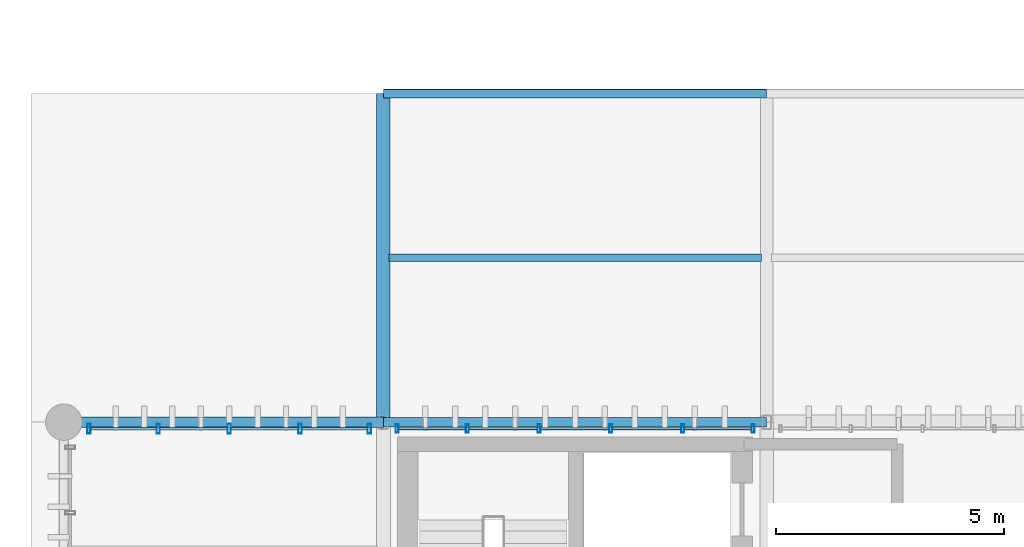
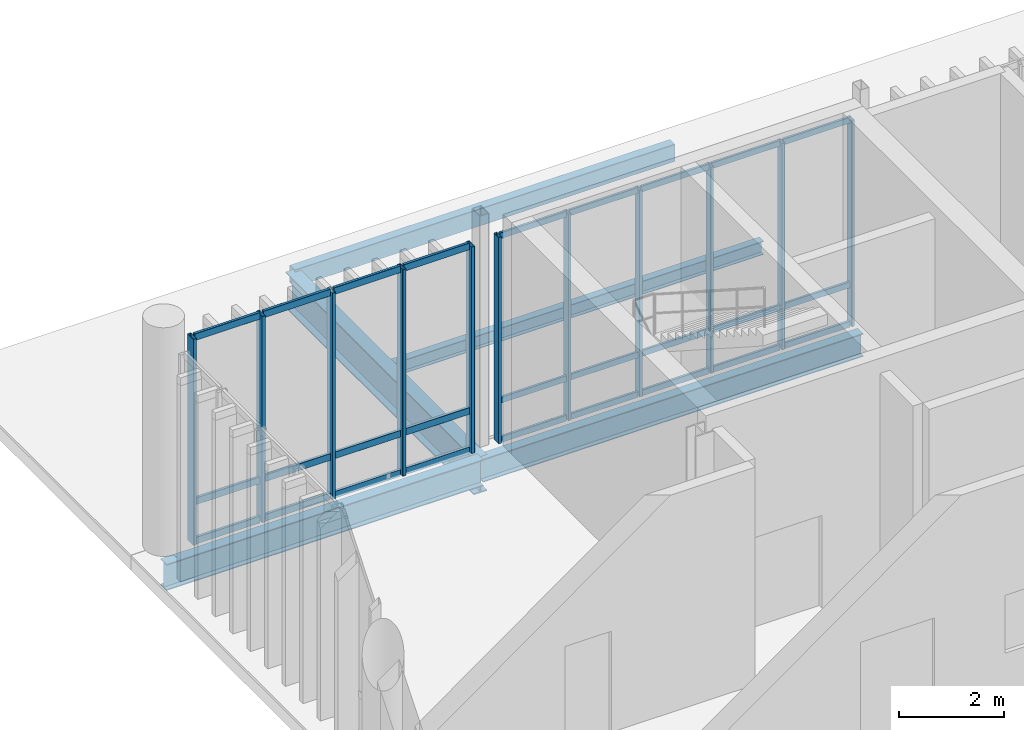
# One storey, part 28 of 112: 38 members, 5 beams, 2 elements without a shape of their own.
"""IFC4 building model written with IfcOpenShell, lengths in metres."""

from ifc_helpers import new_model, si_unit, direction, frame, origin_with_axes, origin_2d_with_axis, place, context, subcontext, project, spatial, hollow_rectangle, i_section, extrude, material, material_profile, profile_set, type_object, element, aggregate, save


model = new_model("IFC4")

# Units and contexts
model_context = context("Model", 3, precision=1e-05, world=origin_with_axes(), true_north=direction((0.0, 1.0)))
body_context = subcontext(model_context, "Body", "Model", "MODEL_VIEW")
ifc_project = project(units=[si_unit("LENGTHUNIT", "METRE"), si_unit("AREAUNIT", "SQUARE_METRE"), si_unit("VOLUMEUNIT", "CUBIC_METRE"), si_unit("PLANEANGLEUNIT", "RADIAN"), si_unit("MASSUNIT", "GRAM", prefix="KILO"), si_unit("THERMODYNAMICTEMPERATUREUNIT", "KELVIN")], contexts=[model_context])

# Site, building, storey
site_placement = place(None, origin_with_axes())
site = spatial("IfcSite", under=ifc_project, at=site_placement, CompositionType="ELEMENT")
building_placement = place(site_placement, origin_with_axes())
building = spatial("IfcBuilding", under=site, at=building_placement, Name="Montbau Bow Law Courts", CompositionType="ELEMENT")
storey_placement = place(building_placement, origin_with_axes())
storey = spatial("IfcBuildingStorey", under=building, at=storey_placement, Name="L00", CompositionType="ELEMENT", Elevation=0.0)

# Beams
ifc_material_1 = material(Name="Steel CSA G40.21 Grade 350W (350 MPa)", Category="steel")
ifc_material_profile_1 = material_profile(ifc_material_1, i_section(OverallWidth=0.293, OverallDepth=0.846, WebThickness=0.0154, FlangeThickness=0.0244, at=origin_2d_with_axis()), Name="W840X210", Category="Main", Priority=0)
ifc_profile_set_1 = profile_set([ifc_material_profile_1], Name="Steel CSA G40.21 Grade 350W (350 MPa)")
beam_type_1 = type_object("IfcBeamType", Name="B-FLR-02", PredefinedType="BEAM", material=ifc_profile_set_1)
beam_1_placement = place(None, frame((13.8, 54.6, -0.763), z_axis=(0.0, 1.0, 0.0), x_axis=(-1.0, 0.0, 0.0)))
element("IfcBeam", 1, at=beam_1_placement, inside=storey, type_object=beam_type_1, Name="BM-L00-S0247:bm2_0250", PredefinedType="BEAM", context=body_context, shape_type="SweptSolid", body=[
    extrude(i_section(OverallWidth=0.293, OverallDepth=0.846, WebThickness=0.0154, FlangeThickness=0.0244, at=origin_2d_with_axis()), origin_with_axes(), (0.0, 0.0, 1.0), 7.2),
])
ifc_material_profile_2 = material_profile(ifc_material_1, i_section(OverallWidth=0.229, OverallDepth=0.612, WebThickness=0.0119, FlangeThickness=0.0196, at=origin_2d_with_axis()), Name="W610X125", Category="Main", Priority=0)
ifc_profile_set_2 = profile_set([ifc_material_profile_2], Name="Steel CSA G40.21 Grade 350W (350 MPa)")
beam_type_2 = type_object("IfcBeamType", Name="B-FLR-05", PredefinedType="BEAM", material=ifc_profile_set_2)
beam_2_placement = place(None, frame((6.8, 54.6, -0.646), z_axis=(1.0, 0.0, 0.0), x_axis=(0.0, 1.0, 0.0)))
element("IfcBeam", 2, at=beam_2_placement, inside=storey, type_object=beam_type_2, Name="BM-L00-S0209:bm2_0212", PredefinedType="BEAM", context=body_context, shape_type="SweptSolid", body=[
    extrude(i_section(OverallWidth=0.229, OverallDepth=0.612, WebThickness=0.0119, FlangeThickness=0.0196, at=origin_2d_with_axis()), origin_with_axes(), (0.0, 0.0, 1.0), 7.0),
])
ifc_material_profile_3 = material_profile(ifc_material_1, i_section(OverallWidth=0.21, OverallDepth=0.537, WebThickness=0.0109, FlangeThickness=0.0174, at=origin_2d_with_axis()), Name="W530X101", Category="Main", Priority=0)
ifc_profile_set_3 = profile_set([ifc_material_profile_3], Name="Steel CSA G40.21 Grade 350W (350 MPa)")
beam_type_3 = type_object("IfcBeamType", Name="B-FLR-06", PredefinedType="BEAM", material=ifc_profile_set_3)
beam_3_placement = place(None, frame((13.8, 54.6, -0.609), z_axis=(1.0, 0.0, 0.0), x_axis=(0.0, 1.0, 0.0)))
element("IfcBeam", 3, at=beam_3_placement, inside=storey, type_object=beam_type_3, Name="BM-L00-S0210:bm2_0213", PredefinedType="BEAM", context=body_context, shape_type="SweptSolid", body=[
    extrude(i_section(OverallWidth=0.21, OverallDepth=0.537, WebThickness=0.0109, FlangeThickness=0.0174, at=origin_2d_with_axis()), origin_with_axes(), (0.0, 0.0, 1.0), 8.4),
])
ifc_material_profile_4 = material_profile(ifc_material_1, i_section(OverallWidth=0.166, OverallDepth=0.313, WebThickness=0.0066, FlangeThickness=0.0112, at=origin_2d_with_axis()), Name="W310X45", Category="Main", Priority=0)
ifc_profile_set_4 = profile_set([ifc_material_profile_4], Name="Steel CSA G40.21 Grade 350W (350 MPa)")
beam_type_4 = type_object("IfcBeamType", Name="B-JST-04", PredefinedType="JOIST", material=ifc_profile_set_4)
beam_4_placement = place(None, frame((13.923, 58.2, -0.497), z_axis=(1.0, 0.0, 0.0), x_axis=(0.0, 1.0, 0.0)))
element("IfcBeam", 4, at=beam_4_placement, inside=storey, type_object=beam_type_4, Name="JST-L00-S0015:jst2_0015", PredefinedType="JOIST", context=body_context, shape_type="SweptSolid", body=[
    extrude(i_section(OverallWidth=0.166, OverallDepth=0.313, WebThickness=0.0066, FlangeThickness=0.0112, at=origin_2d_with_axis()), origin_with_axes(), (0.0, 0.0, 1.0), 8.167),
])
ifc_material_2 = material(Name="Steel CSA G40.21 Grade 350WT (350 MPa)", Category="steel")
ifc_material_profile_5 = material_profile(ifc_material_2, hollow_rectangle(XDim=0.203, YDim=0.406, WallThickness=0.0127, InnerFilletRadius=0.0254, OuterFilletRadius=0.0127, at=origin_2d_with_axis()), Name="HSS406X203X13", Category="Main", Priority=0)
ifc_profile_set_5 = profile_set([ifc_material_profile_5], Name="Steel CSA G40.21 Grade 350WT (350 MPa)")
beam_type_5 = type_object("IfcBeamType", Name="B-SPN-01", PredefinedType="SPANDREL", material=ifc_profile_set_5)
beam_5_placement = place(None, frame((13.8, 61.8, -0.493), z_axis=(1.0, 0.0, 0.0), x_axis=(0.0, 1.0, 0.0)))
element("IfcBeam", 5, at=beam_5_placement, inside=storey, type_object=beam_type_5, Name="SPN-L00-S0223:bm2_0226", PredefinedType="SPANDREL", context=body_context, shape_type="SweptSolid", body=[
    extrude(hollow_rectangle(XDim=0.203, YDim=0.406, WallThickness=0.0127, InnerFilletRadius=0.0254, OuterFilletRadius=0.0127, at=origin_2d_with_axis()), origin_with_axes(), (0.0, 0.0, 1.0), 8.4),
])

# Curtain wall, members
ifc_material_3 = material(Name="Thermally Broken Extruded Aluminium AA 6063-T6", Category="aluminium")
curtain_wall_type = type_object("IfcCurtainWallType", Name="CW-TRC-01", PredefinedType="NOTDEFINED", material=ifc_material_3)
curtain_wall_1_placement = place(None, frame((7.315, 54.46, 0.0), z_axis=(0.0, 0.0, 1.0), x_axis=(1.0, 0.0, 0.0)))
curtain_wall_1 = element("IfcCurtainWall", 6, at=curtain_wall_1_placement, inside=storey, type_object=curtain_wall_type, Name="CW-L00-006:cw_0006", PredefinedType="NOTDEFINED")
ifc_material_profile_6 = material_profile(ifc_material_3, hollow_rectangle(XDim=0.075, YDim=0.22, WallThickness=0.005, InnerFilletRadius=0.01, OuterFilletRadius=0.005, at=origin_2d_with_axis()), Name="CWM-220X75", Category="Main", Priority=0)
ifc_profile_set_6 = profile_set([ifc_material_profile_6], Name="Thermally Broken Extruded Aluminium AA 6063-T6")
member_type_1 = type_object("IfcMemberType", Name="M-MUL-01", PredefinedType="MULLION", material=ifc_profile_set_6)
member_1_placement = place(None, frame((7.352, 54.46, 0.0), z_axis=(0.0, 0.0, 1.0), x_axis=(1.0, 0.0, 0.0)))
member_1 = element("IfcMember", 7, at=member_1_placement, type_object=member_type_1, Name="CW-L00-006-M01:cw_0006_M01", PredefinedType="MULLION", context=body_context, shape_type="SweptSolid", body=[
    extrude(hollow_rectangle(XDim=0.075, YDim=0.22, WallThickness=0.005, InnerFilletRadius=0.01, OuterFilletRadius=0.005, at=origin_2d_with_axis()), origin_with_axes(), (0.0, 0.0, 1.0), 4.82),
])
member_2_placement = place(None, frame((8.869, 54.46, 0.0), z_axis=(0.0, 0.0, 1.0), x_axis=(1.0, 0.0, 0.0)))
member_2 = element("IfcMember", 8, at=member_2_placement, type_object=member_type_1, Name="CW-L00-006-M02:cw_0006_M02", PredefinedType="MULLION", context=body_context, shape_type="SweptSolid", body=[
    extrude(hollow_rectangle(XDim=0.075, YDim=0.22, WallThickness=0.005, InnerFilletRadius=0.01, OuterFilletRadius=0.005, at=origin_2d_with_axis()), origin_with_axes(), (0.0, 0.0, 1.0), 4.82),
])
member_3_placement = place(None, frame((10.424, 54.46, 0.0), z_axis=(0.0, 0.0, 1.0), x_axis=(1.0, 0.0, 0.0)))
member_3 = element("IfcMember", 9, at=member_3_placement, type_object=member_type_1, Name="CW-L00-006-M03:cw_0006_M03", PredefinedType="MULLION", context=body_context, shape_type="SweptSolid", body=[
    extrude(hollow_rectangle(XDim=0.075, YDim=0.22, WallThickness=0.005, InnerFilletRadius=0.01, OuterFilletRadius=0.005, at=origin_2d_with_axis()), origin_with_axes(), (0.0, 0.0, 1.0), 4.82),
])
member_4_placement = place(None, frame((11.978, 54.46, 0.0), z_axis=(0.0, 0.0, 1.0), x_axis=(1.0, 0.0, 0.0)))
member_4 = element("IfcMember", 10, at=member_4_placement, type_object=member_type_1, Name="CW-L00-006-M04:cw_0006_M04", PredefinedType="MULLION", context=body_context, shape_type="SweptSolid", body=[
    extrude(hollow_rectangle(XDim=0.075, YDim=0.22, WallThickness=0.005, InnerFilletRadius=0.01, OuterFilletRadius=0.005, at=origin_2d_with_axis()), origin_with_axes(), (0.0, 0.0, 1.0), 4.82),
])
member_5_placement = place(None, frame((13.495, 54.46, 0.0), z_axis=(0.0, 0.0, 1.0), x_axis=(1.0, 0.0, 0.0)))
member_5 = element("IfcMember", 11, at=member_5_placement, type_object=member_type_1, Name="CW-L00-006-M05:cw_0006_M05", PredefinedType="MULLION", context=body_context, shape_type="SweptSolid", body=[
    extrude(hollow_rectangle(XDim=0.075, YDim=0.22, WallThickness=0.005, InnerFilletRadius=0.01, OuterFilletRadius=0.005, at=origin_2d_with_axis()), origin_with_axes(), (0.0, 0.0, 1.0), 4.82),
])

curtain_wall_2_placement = place(None, frame((14.068, 54.46, 0.0), z_axis=(0.0, 0.0, 1.0), x_axis=(1.0, 0.0, 0.0)))
curtain_wall_2 = element("IfcCurtainWall", 12, at=curtain_wall_2_placement, inside=storey, type_object=curtain_wall_type, Name="CW-L00-007:cw_0007", PredefinedType="NOTDEFINED")
ifc_material_profile_7 = material_profile(ifc_material_3, hollow_rectangle(XDim=0.065, YDim=0.18, WallThickness=0.005, InnerFilletRadius=0.01, OuterFilletRadius=0.005, at=origin_2d_with_axis()), Name="CWM-180X65", Category="Main", Priority=0)
ifc_profile_set_7 = profile_set([ifc_material_profile_7], Name="Thermally Broken Extruded Aluminium AA 6063-T6")
member_type_2 = type_object("IfcMemberType", Name="M-MUL-02", PredefinedType="MULLION", material=ifc_profile_set_7)
member_6_placement = place(None, frame((14.101, 54.46, 0.0), z_axis=(0.0, 0.0, 1.0), x_axis=(1.0, 0.0, 0.0)))
member_6 = element("IfcMember", 13, at=member_6_placement, type_object=member_type_2, Name="CW-L00-007-M01:cw_0007_M01", PredefinedType="MULLION", context=body_context, shape_type="SweptSolid", body=[
    extrude(hollow_rectangle(XDim=0.065, YDim=0.18, WallThickness=0.005, InnerFilletRadius=0.01, OuterFilletRadius=0.005, at=origin_2d_with_axis()), origin_with_axes(), (0.0, 0.0, 1.0), 4.82),
])
member_7_placement = place(None, frame((15.641, 54.46, 0.0), z_axis=(0.0, 0.0, 1.0), x_axis=(1.0, 0.0, 0.0)))
member_7 = element("IfcMember", 14, at=member_7_placement, type_object=member_type_2, Name="CW-L00-007-M02:cw_0007_M02", PredefinedType="MULLION", context=body_context, shape_type="SweptSolid", body=[
    extrude(hollow_rectangle(XDim=0.065, YDim=0.18, WallThickness=0.005, InnerFilletRadius=0.01, OuterFilletRadius=0.005, at=origin_2d_with_axis()), origin_with_axes(), (0.0, 0.0, 1.0), 4.82),
])
member_8_placement = place(None, frame((17.214, 54.46, 0.0), z_axis=(0.0, 0.0, 1.0), x_axis=(1.0, 0.0, 0.0)))
member_8 = element("IfcMember", 15, at=member_8_placement, type_object=member_type_2, Name="CW-L00-007-M03:cw_0007_M03", PredefinedType="MULLION", context=body_context, shape_type="SweptSolid", body=[
    extrude(hollow_rectangle(XDim=0.065, YDim=0.18, WallThickness=0.005, InnerFilletRadius=0.01, OuterFilletRadius=0.005, at=origin_2d_with_axis()), origin_with_axes(), (0.0, 0.0, 1.0), 4.82),
])
member_9_placement = place(None, frame((18.787, 54.46, 0.0), z_axis=(0.0, 0.0, 1.0), x_axis=(1.0, 0.0, 0.0)))
member_9 = element("IfcMember", 16, at=member_9_placement, type_object=member_type_2, Name="CW-L00-007-M04:cw_0007_M04", PredefinedType="MULLION", context=body_context, shape_type="SweptSolid", body=[
    extrude(hollow_rectangle(XDim=0.065, YDim=0.18, WallThickness=0.005, InnerFilletRadius=0.01, OuterFilletRadius=0.005, at=origin_2d_with_axis()), origin_with_axes(), (0.0, 0.0, 1.0), 4.82),
])
member_10_placement = place(None, frame((20.36, 54.46, 0.0), z_axis=(0.0, 0.0, 1.0), x_axis=(1.0, 0.0, 0.0)))
member_10 = element("IfcMember", 17, at=member_10_placement, type_object=member_type_2, Name="CW-L00-007-M05:cw_0007_M05", PredefinedType="MULLION", context=body_context, shape_type="SweptSolid", body=[
    extrude(hollow_rectangle(XDim=0.065, YDim=0.18, WallThickness=0.005, InnerFilletRadius=0.01, OuterFilletRadius=0.005, at=origin_2d_with_axis()), origin_with_axes(), (0.0, 0.0, 1.0), 4.82),
])
member_11_placement = place(None, frame((21.901, 54.46, 0.0), z_axis=(0.0, 0.0, 1.0), x_axis=(1.0, 0.0, 0.0)))
member_11 = element("IfcMember", 18, at=member_11_placement, type_object=member_type_2, Name="CW-L00-007-M06:cw_0007_M06", PredefinedType="MULLION", context=body_context, shape_type="SweptSolid", body=[
    extrude(hollow_rectangle(XDim=0.065, YDim=0.18, WallThickness=0.005, InnerFilletRadius=0.01, OuterFilletRadius=0.005, at=origin_2d_with_axis()), origin_with_axes(), (0.0, 0.0, 1.0), 4.82),
])

# Member
ifc_material_profile_8 = material_profile(ifc_material_3, hollow_rectangle(XDim=0.06, YDim=0.16, WallThickness=0.004, InnerFilletRadius=0.008, OuterFilletRadius=0.004, at=origin_2d_with_axis()), Name="CWT-160X60", Category="Main", Priority=0)
ifc_profile_set_8 = profile_set([ifc_material_profile_8], Name="Thermally Broken Extruded Aluminium AA 6063-T6")
member_type_3 = type_object("IfcMemberType", Name="M-TRN-01", PredefinedType="USERDEFINED", material=ifc_profile_set_8)
member_12_placement = place(None, frame((7.391, 54.46, 0.03), z_axis=(1.0, 0.0, 0.0), x_axis=(0.0, 1.0, 0.0)))
member_12 = element("IfcMember", 19, at=member_12_placement, type_object=member_type_3, Name="CW-L00-006-T01-1:cw_0006_T01_1", ObjectType="TRANSOM", PredefinedType="USERDEFINED", context=body_context, shape_type="SweptSolid", body=[
    extrude(hollow_rectangle(XDim=0.06, YDim=0.16, WallThickness=0.004, InnerFilletRadius=0.008, OuterFilletRadius=0.004, at=origin_2d_with_axis()), origin_with_axes(), (0.0, 0.0, 1.0), 1.438),
])

member_13_placement = place(None, frame((7.391, 54.46, 0.95), z_axis=(1.0, 0.0, 0.0), x_axis=(0.0, 1.0, 0.0)))
member_13 = element("IfcMember", 20, at=member_13_placement, type_object=member_type_3, Name="CW-L00-006-T01-2:cw_0006_T01_2", ObjectType="TRANSOM", PredefinedType="USERDEFINED", context=body_context, shape_type="SweptSolid", body=[
    extrude(hollow_rectangle(XDim=0.06, YDim=0.16, WallThickness=0.004, InnerFilletRadius=0.008, OuterFilletRadius=0.004, at=origin_2d_with_axis()), origin_with_axes(), (0.0, 0.0, 1.0), 1.438),
])

member_14_placement = place(None, frame((7.391, 54.46, 4.79), z_axis=(1.0, 0.0, 0.0), x_axis=(0.0, 1.0, 0.0)))
member_14 = element("IfcMember", 21, at=member_14_placement, type_object=member_type_3, Name="CW-L00-006-T01-3:cw_0006_T01_3", ObjectType="TRANSOM", PredefinedType="USERDEFINED", context=body_context, shape_type="SweptSolid", body=[
    extrude(hollow_rectangle(XDim=0.06, YDim=0.16, WallThickness=0.004, InnerFilletRadius=0.008, OuterFilletRadius=0.004, at=origin_2d_with_axis()), origin_with_axes(), (0.0, 0.0, 1.0), 1.438),
])

member_15_placement = place(None, frame((8.909, 54.46, 0.03), z_axis=(1.0, 0.0, 0.0), x_axis=(0.0, 1.0, 0.0)))
member_15 = element("IfcMember", 22, at=member_15_placement, type_object=member_type_3, Name="CW-L00-006-T02-1:cw_0006_T02_1", ObjectType="TRANSOM", PredefinedType="USERDEFINED", context=body_context, shape_type="SweptSolid", body=[
    extrude(hollow_rectangle(XDim=0.06, YDim=0.16, WallThickness=0.004, InnerFilletRadius=0.008, OuterFilletRadius=0.004, at=origin_2d_with_axis()), origin_with_axes(), (0.0, 0.0, 1.0), 1.476),
])

member_16_placement = place(None, frame((8.909, 54.46, 0.95), z_axis=(1.0, 0.0, 0.0), x_axis=(0.0, 1.0, 0.0)))
member_16 = element("IfcMember", 23, at=member_16_placement, type_object=member_type_3, Name="CW-L00-006-T02-2:cw_0006_T02_2", ObjectType="TRANSOM", PredefinedType="USERDEFINED", context=body_context, shape_type="SweptSolid", body=[
    extrude(hollow_rectangle(XDim=0.06, YDim=0.16, WallThickness=0.004, InnerFilletRadius=0.008, OuterFilletRadius=0.004, at=origin_2d_with_axis()), origin_with_axes(), (0.0, 0.0, 1.0), 1.476),
])

member_17_placement = place(None, frame((8.909, 54.46, 4.79), z_axis=(1.0, 0.0, 0.0), x_axis=(0.0, 1.0, 0.0)))
member_17 = element("IfcMember", 24, at=member_17_placement, type_object=member_type_3, Name="CW-L00-006-T02-3:cw_0006_T02_3", ObjectType="TRANSOM", PredefinedType="USERDEFINED", context=body_context, shape_type="SweptSolid", body=[
    extrude(hollow_rectangle(XDim=0.06, YDim=0.16, WallThickness=0.004, InnerFilletRadius=0.008, OuterFilletRadius=0.004, at=origin_2d_with_axis()), origin_with_axes(), (0.0, 0.0, 1.0), 1.476),
])

member_18_placement = place(None, frame((10.463, 54.46, 0.03), z_axis=(1.0, 0.0, 0.0), x_axis=(0.0, 1.0, 0.0)))
member_18 = element("IfcMember", 25, at=member_18_placement, type_object=member_type_3, Name="CW-L00-006-T03-1:cw_0006_T03_1", ObjectType="TRANSOM", PredefinedType="USERDEFINED", context=body_context, shape_type="SweptSolid", body=[
    extrude(hollow_rectangle(XDim=0.06, YDim=0.16, WallThickness=0.004, InnerFilletRadius=0.008, OuterFilletRadius=0.004, at=origin_2d_with_axis()), origin_with_axes(), (0.0, 0.0, 1.0), 1.476),
])

member_19_placement = place(None, frame((10.463, 54.46, 0.95), z_axis=(1.0, 0.0, 0.0), x_axis=(0.0, 1.0, 0.0)))
member_19 = element("IfcMember", 26, at=member_19_placement, type_object=member_type_3, Name="CW-L00-006-T03-2:cw_0006_T03_2", ObjectType="TRANSOM", PredefinedType="USERDEFINED", context=body_context, shape_type="SweptSolid", body=[
    extrude(hollow_rectangle(XDim=0.06, YDim=0.16, WallThickness=0.004, InnerFilletRadius=0.008, OuterFilletRadius=0.004, at=origin_2d_with_axis()), origin_with_axes(), (0.0, 0.0, 1.0), 1.476),
])

member_20_placement = place(None, frame((10.463, 54.46, 4.79), z_axis=(1.0, 0.0, 0.0), x_axis=(0.0, 1.0, 0.0)))
member_20 = element("IfcMember", 27, at=member_20_placement, type_object=member_type_3, Name="CW-L00-006-T03-3:cw_0006_T03_3", ObjectType="TRANSOM", PredefinedType="USERDEFINED", context=body_context, shape_type="SweptSolid", body=[
    extrude(hollow_rectangle(XDim=0.06, YDim=0.16, WallThickness=0.004, InnerFilletRadius=0.008, OuterFilletRadius=0.004, at=origin_2d_with_axis()), origin_with_axes(), (0.0, 0.0, 1.0), 1.476),
])

member_21_placement = place(None, frame((12.017, 54.46, 0.03), z_axis=(1.0, 0.0, 0.0), x_axis=(0.0, 1.0, 0.0)))
member_21 = element("IfcMember", 28, at=member_21_placement, type_object=member_type_3, Name="CW-L00-006-T04-1:cw_0006_T04_1", ObjectType="TRANSOM", PredefinedType="USERDEFINED", context=body_context, shape_type="SweptSolid", body=[
    extrude(hollow_rectangle(XDim=0.06, YDim=0.16, WallThickness=0.004, InnerFilletRadius=0.008, OuterFilletRadius=0.004, at=origin_2d_with_axis()), origin_with_axes(), (0.0, 0.0, 1.0), 1.439),
])

member_22_placement = place(None, frame((12.017, 54.46, 0.95), z_axis=(1.0, 0.0, 0.0), x_axis=(0.0, 1.0, 0.0)))
member_22 = element("IfcMember", 29, at=member_22_placement, type_object=member_type_3, Name="CW-L00-006-T04-2:cw_0006_T04_2", ObjectType="TRANSOM", PredefinedType="USERDEFINED", context=body_context, shape_type="SweptSolid", body=[
    extrude(hollow_rectangle(XDim=0.06, YDim=0.16, WallThickness=0.004, InnerFilletRadius=0.008, OuterFilletRadius=0.004, at=origin_2d_with_axis()), origin_with_axes(), (0.0, 0.0, 1.0), 1.439),
])

member_23_placement = place(None, frame((12.017, 54.46, 4.79), z_axis=(1.0, 0.0, 0.0), x_axis=(0.0, 1.0, 0.0)))
member_23 = element("IfcMember", 30, at=member_23_placement, type_object=member_type_3, Name="CW-L00-006-T04-3:cw_0006_T04_3", ObjectType="TRANSOM", PredefinedType="USERDEFINED", context=body_context, shape_type="SweptSolid", body=[
    extrude(hollow_rectangle(XDim=0.06, YDim=0.16, WallThickness=0.004, InnerFilletRadius=0.008, OuterFilletRadius=0.004, at=origin_2d_with_axis()), origin_with_axes(), (0.0, 0.0, 1.0), 1.439),
])

aggregate(curtain_wall_1, [member_1, member_2, member_3, member_4, member_5, member_12, member_13, member_14, member_15, member_16, member_17, member_18, member_19, member_20, member_21, member_22, member_23])

ifc_material_profile_9 = material_profile(ifc_material_3, hollow_rectangle(XDim=0.055, YDim=0.14, WallThickness=0.004, InnerFilletRadius=0.008, OuterFilletRadius=0.004, at=origin_2d_with_axis()), Name="CWT-140X55", Category="Main", Priority=0)
ifc_profile_set_9 = profile_set([ifc_material_profile_9], Name="Thermally Broken Extruded Aluminium AA 6063-T6")
member_type_4 = type_object("IfcMemberType", Name="M-TRN-02", PredefinedType="USERDEFINED", material=ifc_profile_set_9)
member_24_placement = place(None, frame((14.136, 54.46, 0.028), z_axis=(1.0, 0.0, 0.0), x_axis=(0.0, 1.0, 0.0)))
member_24 = element("IfcMember", 31, at=member_24_placement, type_object=member_type_4, Name="CW-L00-007-T01-1:cw_0007_T01_1", ObjectType="TRANSOM", PredefinedType="USERDEFINED", context=body_context, shape_type="SweptSolid", body=[
    extrude(hollow_rectangle(XDim=0.055, YDim=0.14, WallThickness=0.004, InnerFilletRadius=0.008, OuterFilletRadius=0.004, at=origin_2d_with_axis()), origin_with_axes(), (0.0, 0.0, 1.0), 1.47),
])

member_25_placement = place(None, frame((14.136, 54.46, 0.95), z_axis=(1.0, 0.0, 0.0), x_axis=(0.0, 1.0, 0.0)))
member_25 = element("IfcMember", 32, at=member_25_placement, type_object=member_type_4, Name="CW-L00-007-T01-2:cw_0007_T01_2", ObjectType="TRANSOM", PredefinedType="USERDEFINED", context=body_context, shape_type="SweptSolid", body=[
    extrude(hollow_rectangle(XDim=0.055, YDim=0.14, WallThickness=0.004, InnerFilletRadius=0.008, OuterFilletRadius=0.004, at=origin_2d_with_axis()), origin_with_axes(), (0.0, 0.0, 1.0), 1.47),
])

member_26_placement = place(None, frame((14.136, 54.46, 4.793), z_axis=(1.0, 0.0, 0.0), x_axis=(0.0, 1.0, 0.0)))
member_26 = element("IfcMember", 33, at=member_26_placement, type_object=member_type_4, Name="CW-L00-007-T01-3:cw_0007_T01_3", ObjectType="TRANSOM", PredefinedType="USERDEFINED", context=body_context, shape_type="SweptSolid", body=[
    extrude(hollow_rectangle(XDim=0.055, YDim=0.14, WallThickness=0.004, InnerFilletRadius=0.008, OuterFilletRadius=0.004, at=origin_2d_with_axis()), origin_with_axes(), (0.0, 0.0, 1.0), 1.47),
])

member_27_placement = place(None, frame((15.675, 54.46, 0.028), z_axis=(1.0, 0.0, 0.0), x_axis=(0.0, 1.0, 0.0)))
member_27 = element("IfcMember", 34, at=member_27_placement, type_object=member_type_4, Name="CW-L00-007-T02-1:cw_0007_T02_1", ObjectType="TRANSOM", PredefinedType="USERDEFINED", context=body_context, shape_type="SweptSolid", body=[
    extrude(hollow_rectangle(XDim=0.055, YDim=0.14, WallThickness=0.004, InnerFilletRadius=0.008, OuterFilletRadius=0.004, at=origin_2d_with_axis()), origin_with_axes(), (0.0, 0.0, 1.0), 1.504),
])

member_28_placement = place(None, frame((15.675, 54.46, 0.95), z_axis=(1.0, 0.0, 0.0), x_axis=(0.0, 1.0, 0.0)))
member_28 = element("IfcMember", 35, at=member_28_placement, type_object=member_type_4, Name="CW-L00-007-T02-2:cw_0007_T02_2", ObjectType="TRANSOM", PredefinedType="USERDEFINED", context=body_context, shape_type="SweptSolid", body=[
    extrude(hollow_rectangle(XDim=0.055, YDim=0.14, WallThickness=0.004, InnerFilletRadius=0.008, OuterFilletRadius=0.004, at=origin_2d_with_axis()), origin_with_axes(), (0.0, 0.0, 1.0), 1.504),
])

member_29_placement = place(None, frame((15.675, 54.46, 4.793), z_axis=(1.0, 0.0, 0.0), x_axis=(0.0, 1.0, 0.0)))
member_29 = element("IfcMember", 36, at=member_29_placement, type_object=member_type_4, Name="CW-L00-007-T02-3:cw_0007_T02_3", ObjectType="TRANSOM", PredefinedType="USERDEFINED", context=body_context, shape_type="SweptSolid", body=[
    extrude(hollow_rectangle(XDim=0.055, YDim=0.14, WallThickness=0.004, InnerFilletRadius=0.008, OuterFilletRadius=0.004, at=origin_2d_with_axis()), origin_with_axes(), (0.0, 0.0, 1.0), 1.504),
])

member_30_placement = place(None, frame((17.248, 54.46, 0.028), z_axis=(1.0, 0.0, 0.0), x_axis=(0.0, 1.0, 0.0)))
member_30 = element("IfcMember", 37, at=member_30_placement, type_object=member_type_4, Name="CW-L00-007-T03-1:cw_0007_T03_1", ObjectType="TRANSOM", PredefinedType="USERDEFINED", context=body_context, shape_type="SweptSolid", body=[
    extrude(hollow_rectangle(XDim=0.055, YDim=0.14, WallThickness=0.004, InnerFilletRadius=0.008, OuterFilletRadius=0.004, at=origin_2d_with_axis()), origin_with_axes(), (0.0, 0.0, 1.0), 1.505),
])

member_31_placement = place(None, frame((17.248, 54.46, 0.95), z_axis=(1.0, 0.0, 0.0), x_axis=(0.0, 1.0, 0.0)))
member_31 = element("IfcMember", 38, at=member_31_placement, type_object=member_type_4, Name="CW-L00-007-T03-2:cw_0007_T03_2", ObjectType="TRANSOM", PredefinedType="USERDEFINED", context=body_context, shape_type="SweptSolid", body=[
    extrude(hollow_rectangle(XDim=0.055, YDim=0.14, WallThickness=0.004, InnerFilletRadius=0.008, OuterFilletRadius=0.004, at=origin_2d_with_axis()), origin_with_axes(), (0.0, 0.0, 1.0), 1.505),
])

member_32_placement = place(None, frame((17.248, 54.46, 4.793), z_axis=(1.0, 0.0, 0.0), x_axis=(0.0, 1.0, 0.0)))
member_32 = element("IfcMember", 39, at=member_32_placement, type_object=member_type_4, Name="CW-L00-007-T03-3:cw_0007_T03_3", ObjectType="TRANSOM", PredefinedType="USERDEFINED", context=body_context, shape_type="SweptSolid", body=[
    extrude(hollow_rectangle(XDim=0.055, YDim=0.14, WallThickness=0.004, InnerFilletRadius=0.008, OuterFilletRadius=0.004, at=origin_2d_with_axis()), origin_with_axes(), (0.0, 0.0, 1.0), 1.505),
])

member_33_placement = place(None, frame((18.821, 54.46, 0.028), z_axis=(1.0, 0.0, 0.0), x_axis=(0.0, 1.0, 0.0)))
member_33 = element("IfcMember", 40, at=member_33_placement, type_object=member_type_4, Name="CW-L00-007-T04-1:cw_0007_T04_1", ObjectType="TRANSOM", PredefinedType="USERDEFINED", context=body_context, shape_type="SweptSolid", body=[
    extrude(hollow_rectangle(XDim=0.055, YDim=0.14, WallThickness=0.004, InnerFilletRadius=0.008, OuterFilletRadius=0.004, at=origin_2d_with_axis()), origin_with_axes(), (0.0, 0.0, 1.0), 1.505),
])

member_34_placement = place(None, frame((18.821, 54.46, 0.95), z_axis=(1.0, 0.0, 0.0), x_axis=(0.0, 1.0, 0.0)))
member_34 = element("IfcMember", 41, at=member_34_placement, type_object=member_type_4, Name="CW-L00-007-T04-2:cw_0007_T04_2", ObjectType="TRANSOM", PredefinedType="USERDEFINED", context=body_context, shape_type="SweptSolid", body=[
    extrude(hollow_rectangle(XDim=0.055, YDim=0.14, WallThickness=0.004, InnerFilletRadius=0.008, OuterFilletRadius=0.004, at=origin_2d_with_axis()), origin_with_axes(), (0.0, 0.0, 1.0), 1.505),
])

member_35_placement = place(None, frame((18.821, 54.46, 4.793), z_axis=(1.0, 0.0, 0.0), x_axis=(0.0, 1.0, 0.0)))
member_35 = element("IfcMember", 42, at=member_35_placement, type_object=member_type_4, Name="CW-L00-007-T04-3:cw_0007_T04_3", ObjectType="TRANSOM", PredefinedType="USERDEFINED", context=body_context, shape_type="SweptSolid", body=[
    extrude(hollow_rectangle(XDim=0.055, YDim=0.14, WallThickness=0.004, InnerFilletRadius=0.008, OuterFilletRadius=0.004, at=origin_2d_with_axis()), origin_with_axes(), (0.0, 0.0, 1.0), 1.505),
])

member_36_placement = place(None, frame((20.394, 54.46, 0.028), z_axis=(1.0, 0.0, 0.0), x_axis=(0.0, 1.0, 0.0)))
member_36 = element("IfcMember", 43, at=member_36_placement, type_object=member_type_4, Name="CW-L00-007-T05-1:cw_0007_T05_1", ObjectType="TRANSOM", PredefinedType="USERDEFINED", context=body_context, shape_type="SweptSolid", body=[
    extrude(hollow_rectangle(XDim=0.055, YDim=0.14, WallThickness=0.004, InnerFilletRadius=0.008, OuterFilletRadius=0.004, at=origin_2d_with_axis()), origin_with_axes(), (0.0, 0.0, 1.0), 1.473),
])

member_37_placement = place(None, frame((20.394, 54.46, 0.95), z_axis=(1.0, 0.0, 0.0), x_axis=(0.0, 1.0, 0.0)))
member_37 = element("IfcMember", 44, at=member_37_placement, type_object=member_type_4, Name="CW-L00-007-T05-2:cw_0007_T05_2", ObjectType="TRANSOM", PredefinedType="USERDEFINED", context=body_context, shape_type="SweptSolid", body=[
    extrude(hollow_rectangle(XDim=0.055, YDim=0.14, WallThickness=0.004, InnerFilletRadius=0.008, OuterFilletRadius=0.004, at=origin_2d_with_axis()), origin_with_axes(), (0.0, 0.0, 1.0), 1.473),
])

member_38_placement = place(None, frame((20.394, 54.46, 4.793), z_axis=(1.0, 0.0, 0.0), x_axis=(0.0, 1.0, 0.0)))
member_38 = element("IfcMember", 45, at=member_38_placement, type_object=member_type_4, Name="CW-L00-007-T05-3:cw_0007_T05_3", ObjectType="TRANSOM", PredefinedType="USERDEFINED", context=body_context, shape_type="SweptSolid", body=[
    extrude(hollow_rectangle(XDim=0.055, YDim=0.14, WallThickness=0.004, InnerFilletRadius=0.008, OuterFilletRadius=0.004, at=origin_2d_with_axis()), origin_with_axes(), (0.0, 0.0, 1.0), 1.473),
])

aggregate(curtain_wall_2, [member_6, member_7, member_8, member_9, member_10, member_11, member_24, member_25, member_26, member_27, member_28, member_29, member_30, member_31, member_32, member_33, member_34, member_35, member_36, member_37, member_38])

save(model, "model.ifc")
